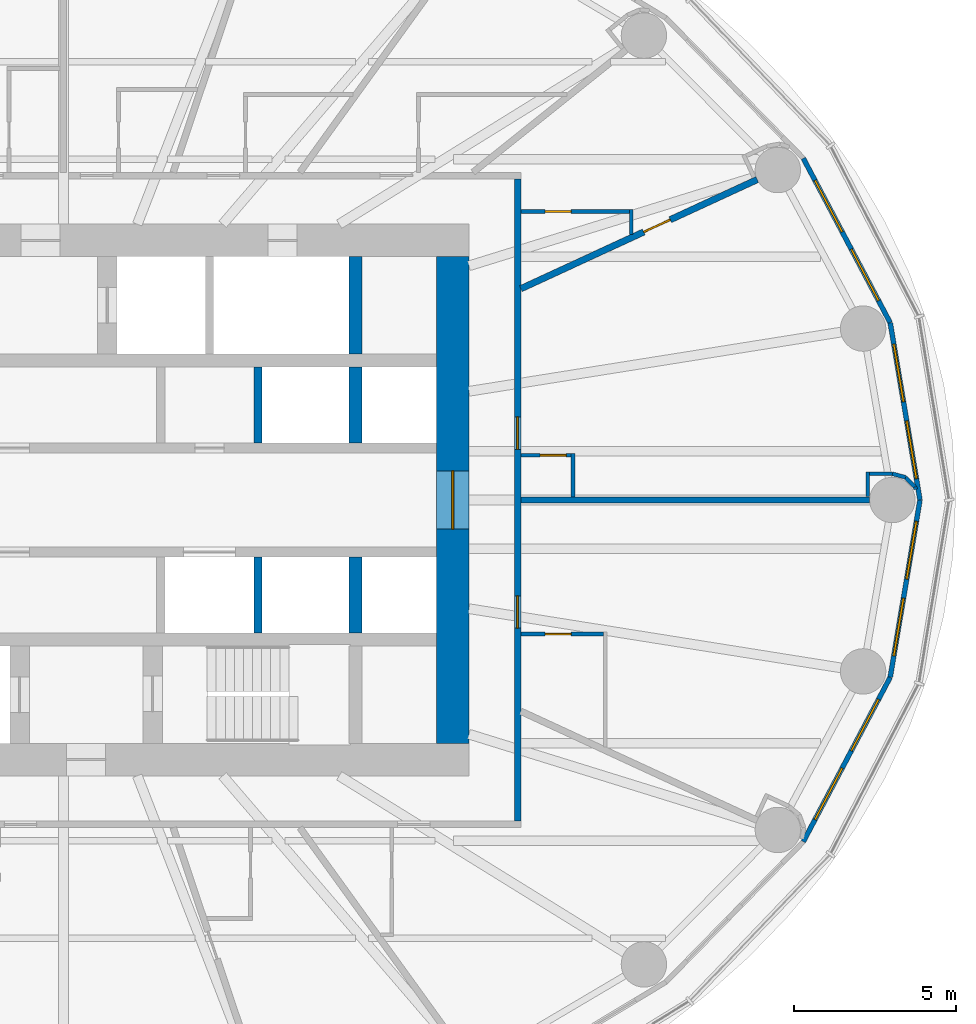
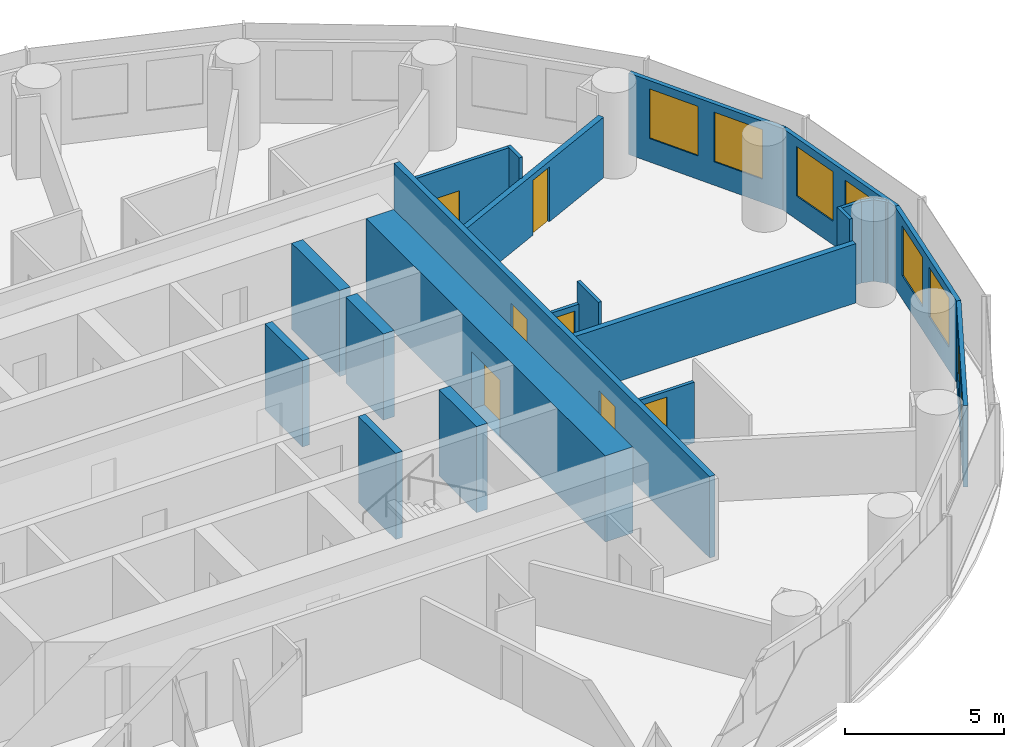
# One storey, part 10 of 13: 23 walls, 8 windows, 7 doors, 15 openings.
"""IFC4 building model written with IfcOpenShell, lengths in metres."""

from ifc_helpers import new_model, si_unit, direction, frame, frame_2d, origin, place, context, subcontext, project, spatial, rectangle, extrude, material, layer, layer_set, type_object, element, fill, save


model = new_model("IFC4")

# Units and contexts
model_context = context("Model", 3, precision=1e-05, world=origin(), true_north=direction((0.0, 1.0)))
body_context = subcontext(model_context, "Body", "Model", "MODEL_VIEW")
ifc_project = project(units=[si_unit("LENGTHUNIT", "METRE"), si_unit("AREAUNIT", "SQUARE_METRE"), si_unit("VOLUMEUNIT", "CUBIC_METRE"), si_unit("PLANEANGLEUNIT", "RADIAN"), si_unit("MASSUNIT", "GRAM", prefix="KILO")], contexts=[model_context])

# Site, building, storey
site_placement = place(None, origin())
site = spatial("IfcSite", under=ifc_project, at=site_placement, CompositionType="ELEMENT")
building_placement = place(site_placement, origin())
building = spatial("IfcBuilding", under=site, at=building_placement, Name="Hankou Lantern Tower", CompositionType="ELEMENT")
storey_placement = place(building_placement, frame((0.0, 0.0, 80.39990234375)))
storey = spatial("IfcBuildingStorey", under=building, at=storey_placement, Name="L20", CompositionType="ELEMENT", Elevation=80.39990234375)

# Wall, opening, door
ifc_material_1 = material(Name="Concrete C60", Category="concrete")
ifc_layer_1 = layer(ifc_material_1, 1.0)
ifc_layer_set_1 = layer_set([ifc_layer_1], Name="Concrete C60")
wall_type_1 = type_object("IfcWallType", Name="CW1 CORE WALL 1000", PredefinedType="SHEAR", material=ifc_layer_set_1)
wall_1_placement = place(storey_placement, frame((12.0, -7.5, 0.0), z_axis=(0.0, 0.0, 1.0), x_axis=(0.0, 1.0, 0.0)))
wall_1 = element("IfcWall", 1, at=wall_1_placement, inside=storey, type_object=wall_type_1, Name="Core wall east L20", PredefinedType="SHEAR", context=body_context, shape_type="SweptSolid", body=[
    extrude(rectangle(XDim=15.0, YDim=1.0, at=frame_2d((7.5, 0.0))), origin(), (0.0, 0.0, 1.0), 3.300048828125),
])
opening_1_placement = place(wall_1_placement, frame((6.60009765625, 0.0, 0.0)))
opening_1 = element("IfcOpeningElement", 2, at=opening_1_placement, cuts=wall_1, Name="Opening D6", PredefinedType="OPENING", context=body_context, shape_type="SweptSolid", body=[
    extrude(rectangle(XDim=1.800048828125, YDim=2.199951171875, at=frame_2d((0.89990234375, 1.10009765625))), frame((0.0, 0.510009765625, 0.0), z_axis=(0.0, -1.0, 0.0), x_axis=(1.0, 0.0, 0.0)), (0.0, 0.0, 1.0), 1.02001953125),
])
ifc_material_2 = material(Name="Steel door leaf", Category="steel")
door_type_1 = type_object("IfcDoorType", Name="D6 LIFT LOBBY DOOR 1800X2200", OperationType="DOUBLE_DOOR_DOUBLE_SWING", PredefinedType="DOOR", material=ifc_material_2)
door_1_placement = place(opening_1_placement, origin())
door_1 = element("IfcDoor", 3, at=door_1_placement, inside=storey, type_object=door_type_1, Name="Lift lobby east door", OperationType="DOUBLE_DOOR_DOUBLE_SWING", OverallHeight=2.199951171875, OverallWidth=1.800048828125, PredefinedType="DOOR", context=body_context, shape_type="SweptSolid", body=[
    extrude(rectangle(XDim=1.800048828125, YDim=2.199951171875, at=frame_2d((0.89990234375, 1.10009765625))), frame((0.0, 0.02490234375, 0.0), z_axis=(0.0, -1.0, 0.0), x_axis=(1.0, 0.0, 0.0)), (0.0, 0.0, 1.0), 0.050048828125),
])
fill(opening_1, door_1)

# Walls
ifc_material_3 = material(Name="Concrete C60", Category="concrete")
ifc_layer_2 = layer(ifc_material_3, 0.39990234375)
ifc_layer_set_2 = layer_set([ifc_layer_2], Name="Concrete C60")
wall_type_2 = type_object("IfcWallType", Name="CW4 CORE CROSS WALL 400", PredefinedType="SHEAR", material=ifc_layer_set_2)
wall_2_placement = place(storey_placement, frame((9.0, 4.5, 0.0), z_axis=(0.0, 0.0, 1.0), x_axis=(0.0, 1.0, 0.0)))
element("IfcWall", 4, at=wall_2_placement, inside=storey, type_object=wall_type_2, Name="Core strip wall L20", PredefinedType="SHEAR", context=body_context, shape_type="SweptSolid", body=[
    extrude(rectangle(XDim=3.0, YDim=0.39990234375, at=frame_2d((1.5, 0.0))), origin(), (0.0, 0.0, 1.0), 3.300048828125),
])
for number, where, z_axis, x_axis, name in (
    (5, (9.0, 1.75, 0.0), (0.0, 0.0, 1.0), (0.0, 1.0, 0.0), "Core strip wall L20"),
    (6, (9.0, -4.10009765625, 0.0), (0.0, 0.0, 1.0), (0.0, 1.0, 0.0), "Core strip wall L20"),
):
    element("IfcWall", number, at=place(storey_placement, frame(where, z_axis=z_axis, x_axis=x_axis)), inside=storey, type_object=wall_type_2, Name=name, PredefinedType="SHEAR", context=body_context, shape_type="SweptSolid", body=[
        extrude(rectangle(XDim=2.35009765625, YDim=0.39990234375, at=frame_2d((1.175048828125, 0.0))), origin(), (0.0, 0.0, 1.0), 3.300048828125),
    ])

# Wall, openings, windows
ifc_material_4 = material(Name="Aluminium spandrel panel on steel studs", Category="steel")
ifc_layer_3 = layer(ifc_material_4, 0.14990234375)
ifc_layer_set_3 = layer_set([ifc_layer_3], Name="Aluminium spandrel panel on steel studs")
wall_type_3 = type_object("IfcWallType", Name="EW1 INNER SKIN WALL 150", PredefinedType="ELEMENTEDWALL", material=ifc_layer_set_3)
wall_3_placement = place(storey_placement, frame((26.39990234375, 0.0, 0.0), z_axis=(0.0, 0.0, 1.0), x_axis=(-0.165642551694, 0.986185857264, 0.0)))
wall_3 = element("IfcWall", 7, at=wall_3_placement, inside=storey, type_object=wall_type_3, Name="Inner skin R01-R02 L20", PredefinedType="ELEMENTEDWALL", context=body_context, shape_type="SweptSolid", body=[
    extrude(rectangle(XDim=5.538818359375, YDim=0.14990234375, at=frame_2d((2.76953125, 0.0))), origin(), (0.0, 0.0, 1.0), 3.1201171875),
])
opening_2_placement = place(wall_3_placement, frame((0.66943359375, 0.0, 0.89990234375)))
opening_2 = element("IfcOpeningElement", 8, at=opening_2_placement, cuts=wall_3, Name="Opening W1", PredefinedType="OPENING", context=body_context, shape_type="SweptSolid", body=[
    extrude(rectangle(XDim=1.800048828125, YDim=1.89990234375, at=frame_2d((0.89990234375, 0.949951171875))), frame((0.0, 0.0849609375, 0.0), z_axis=(0.0, -1.0, 0.0), x_axis=(1.0, 0.0, 0.0)), (0.0, 0.0, 1.0), 0.169921875),
])
opening_3_placement = place(wall_3_placement, frame((3.069580078125, 0.0, 0.89990234375)))
opening_3 = element("IfcOpeningElement", 9, at=opening_3_placement, cuts=wall_3, Name="Opening W1", PredefinedType="OPENING", context=body_context, shape_type="SweptSolid", body=[
    extrude(rectangle(XDim=1.800048828125, YDim=1.89990234375, at=frame_2d((0.89990234375, 0.949951171875))), frame((0.0, 0.0849609375, 0.0), z_axis=(0.0, -1.0, 0.0), x_axis=(1.0, 0.0, 0.0)), (0.0, 0.0, 1.0), 0.169921875),
])
ifc_material_5 = material(Name="Aluminium framed double glazed window", Category="aluminium")
window_type = type_object("IfcWindowType", Name="W1 GUEST ROOM WINDOW 1800X1900", PartitioningType="DOUBLE_PANEL_VERTICAL", PredefinedType="WINDOW", material=ifc_material_5)
window_1_placement = place(opening_2_placement, origin())
window_1 = element("IfcWindow", 10, at=window_1_placement, inside=storey, type_object=window_type, Name="Window R01.1 L20", OverallHeight=1.89990234375, OverallWidth=1.800048828125, PartitioningType="SINGLE_PANEL", PredefinedType="WINDOW", context=body_context, shape_type="SweptSolid", body=[
    extrude(rectangle(XDim=1.800048828125, YDim=1.89990234375, at=frame_2d((0.89990234375, 0.949951171875))), frame((0.0, 0.030029296875, 0.0), z_axis=(0.0, -1.0, 0.0), x_axis=(1.0, 0.0, 0.0)), (0.0, 0.0, 1.0), 0.06005859375),
])
fill(opening_2, window_1)
window_2_placement = place(opening_3_placement, origin())
window_2 = element("IfcWindow", 11, at=window_2_placement, inside=storey, type_object=window_type, Name="Window R01.2 L20", OverallHeight=1.89990234375, OverallWidth=1.800048828125, PartitioningType="SINGLE_PANEL", PredefinedType="WINDOW", context=body_context, shape_type="SweptSolid", body=[
    extrude(rectangle(XDim=1.800048828125, YDim=1.89990234375, at=frame_2d((0.89990234375, 0.949951171875))), frame((0.0, 0.030029296875, 0.0), z_axis=(0.0, -1.0, 0.0), x_axis=(1.0, 0.0, 0.0)), (0.0, 0.0, 1.0), 0.06005859375),
])
fill(opening_3, window_2)

wall_4_placement = place(storey_placement, frame((25.482421875, 5.46240234375, 0.0), z_axis=(0.0, 0.0, 1.0), x_axis=(-0.467296867008, 0.884100468321, 0.0)))
wall_4 = element("IfcWall", 12, at=wall_4_placement, inside=storey, type_object=wall_type_3, Name="Inner skin R02-R03 L20", PredefinedType="ELEMENTEDWALL", context=body_context, shape_type="SweptSolid", body=[
    extrude(rectangle(XDim=5.734375, YDim=0.14990234375, at=frame_2d((2.8671875, 0.0))), origin(), (0.0, 0.0, 1.0), 3.1201171875),
])
opening_4_placement = place(wall_4_placement, frame((0.76708984375, 0.0, 0.89990234375)))
opening_4 = element("IfcOpeningElement", 13, at=opening_4_placement, cuts=wall_4, Name="Opening W1", PredefinedType="OPENING", context=body_context, shape_type="SweptSolid", body=[
    extrude(rectangle(XDim=1.800048828125, YDim=1.89990234375, at=frame_2d((0.89990234375, 0.949951171875))), frame((0.0, 0.0849609375, 0.0), z_axis=(0.0, -1.0, 0.0), x_axis=(1.0, 0.0, 0.0)), (0.0, 0.0, 1.0), 0.169921875),
])
opening_5_placement = place(wall_4_placement, frame((3.167236328125, 0.0, 0.89990234375)))
opening_5 = element("IfcOpeningElement", 14, at=opening_5_placement, cuts=wall_4, Name="Opening W1", PredefinedType="OPENING", context=body_context, shape_type="SweptSolid", body=[
    extrude(rectangle(XDim=1.800048828125, YDim=1.89990234375, at=frame_2d((0.89990234375, 0.949951171875))), frame((0.0, 0.0849609375, 0.0), z_axis=(0.0, -1.0, 0.0), x_axis=(1.0, 0.0, 0.0)), (0.0, 0.0, 1.0), 0.169921875),
])
window_3_placement = place(opening_4_placement, origin())
window_3 = element("IfcWindow", 15, at=window_3_placement, inside=storey, type_object=window_type, Name="Window R02.1 L20", OverallHeight=1.89990234375, OverallWidth=1.800048828125, PartitioningType="SINGLE_PANEL", PredefinedType="WINDOW", context=body_context, shape_type="SweptSolid", body=[
    extrude(rectangle(XDim=1.800048828125, YDim=1.89990234375, at=frame_2d((0.89990234375, 0.949951171875))), frame((0.0, 0.030029296875, 0.0), z_axis=(0.0, -1.0, 0.0), x_axis=(1.0, 0.0, 0.0)), (0.0, 0.0, 1.0), 0.06005859375),
])
fill(opening_4, window_3)
window_4_placement = place(opening_5_placement, origin())
window_4 = element("IfcWindow", 16, at=window_4_placement, inside=storey, type_object=window_type, Name="Window R02.2 L20", OverallHeight=1.89990234375, OverallWidth=1.800048828125, PartitioningType="SINGLE_PANEL", PredefinedType="WINDOW", context=body_context, shape_type="SweptSolid", body=[
    extrude(rectangle(XDim=1.800048828125, YDim=1.89990234375, at=frame_2d((0.89990234375, 0.949951171875))), frame((0.0, 0.030029296875, 0.0), z_axis=(0.0, -1.0, 0.0), x_axis=(1.0, 0.0, 0.0)), (0.0, 0.0, 1.0), 0.06005859375),
])
fill(opening_5, window_4)

wall_5_placement = place(storey_placement, frame((22.802734375, -10.5322265625, 0.0), z_axis=(0.0, 0.0, 1.0), x_axis=(0.467296867008, 0.884100468321, 0.0)))
wall_5 = element("IfcWall", 17, at=wall_5_placement, inside=storey, type_object=wall_type_3, Name="Inner skin R23-R24 L20", PredefinedType="ELEMENTEDWALL", context=body_context, shape_type="SweptSolid", body=[
    extrude(rectangle(XDim=5.734375, YDim=0.14990234375, at=frame_2d((2.8671875, 0.0))), origin(), (0.0, 0.0, 1.0), 3.1201171875),
])
opening_6_placement = place(wall_5_placement, frame((0.76708984375, 0.0, 0.89990234375)))
opening_6 = element("IfcOpeningElement", 18, at=opening_6_placement, cuts=wall_5, Name="Opening W1", PredefinedType="OPENING", context=body_context, shape_type="SweptSolid", body=[
    extrude(rectangle(XDim=1.800048828125, YDim=1.89990234375, at=frame_2d((0.89990234375, 0.949951171875))), frame((0.0, 0.0849609375, 0.0), z_axis=(0.0, -1.0, 0.0), x_axis=(1.0, 0.0, 0.0)), (0.0, 0.0, 1.0), 0.169921875),
])
opening_7_placement = place(wall_5_placement, frame((3.167236328125, 0.0, 0.89990234375)))
opening_7 = element("IfcOpeningElement", 19, at=opening_7_placement, cuts=wall_5, Name="Opening W1", PredefinedType="OPENING", context=body_context, shape_type="SweptSolid", body=[
    extrude(rectangle(XDim=1.800048828125, YDim=1.89990234375, at=frame_2d((0.89990234375, 0.949951171875))), frame((0.0, 0.0849609375, 0.0), z_axis=(0.0, -1.0, 0.0), x_axis=(1.0, 0.0, 0.0)), (0.0, 0.0, 1.0), 0.169921875),
])
window_5_placement = place(opening_6_placement, origin())
window_5 = element("IfcWindow", 20, at=window_5_placement, inside=storey, type_object=window_type, Name="Window R23.1 L20", OverallHeight=1.89990234375, OverallWidth=1.800048828125, PartitioningType="SINGLE_PANEL", PredefinedType="WINDOW", context=body_context, shape_type="SweptSolid", body=[
    extrude(rectangle(XDim=1.800048828125, YDim=1.89990234375, at=frame_2d((0.89990234375, 0.949951171875))), frame((0.0, 0.030029296875, 0.0), z_axis=(0.0, -1.0, 0.0), x_axis=(1.0, 0.0, 0.0)), (0.0, 0.0, 1.0), 0.06005859375),
])
fill(opening_6, window_5)
window_6_placement = place(opening_7_placement, origin())
window_6 = element("IfcWindow", 21, at=window_6_placement, inside=storey, type_object=window_type, Name="Window R23.2 L20", OverallHeight=1.89990234375, OverallWidth=1.800048828125, PartitioningType="SINGLE_PANEL", PredefinedType="WINDOW", context=body_context, shape_type="SweptSolid", body=[
    extrude(rectangle(XDim=1.800048828125, YDim=1.89990234375, at=frame_2d((0.89990234375, 0.949951171875))), frame((0.0, 0.030029296875, 0.0), z_axis=(0.0, -1.0, 0.0), x_axis=(1.0, 0.0, 0.0)), (0.0, 0.0, 1.0), 0.06005859375),
])
fill(opening_7, window_6)

wall_6_placement = place(storey_placement, frame((25.482421875, -5.46240234375, 0.0), z_axis=(0.0, 0.0, 1.0), x_axis=(0.165642551694, 0.986185857264, 0.0)))
wall_6 = element("IfcWall", 22, at=wall_6_placement, inside=storey, type_object=wall_type_3, Name="Inner skin R24-R01 L20", PredefinedType="ELEMENTEDWALL", context=body_context, shape_type="SweptSolid", body=[
    extrude(rectangle(XDim=5.538818359375, YDim=0.14990234375, at=frame_2d((2.76953125, 0.0))), origin(), (0.0, 0.0, 1.0), 3.1201171875),
])
opening_8_placement = place(wall_6_placement, frame((0.66943359375, 0.0, 0.89990234375)))
opening_8 = element("IfcOpeningElement", 23, at=opening_8_placement, cuts=wall_6, Name="Opening W1", PredefinedType="OPENING", context=body_context, shape_type="SweptSolid", body=[
    extrude(rectangle(XDim=1.800048828125, YDim=1.89990234375, at=frame_2d((0.89990234375, 0.949951171875))), frame((0.0, 0.0849609375, 0.0), z_axis=(0.0, -1.0, 0.0), x_axis=(1.0, 0.0, 0.0)), (0.0, 0.0, 1.0), 0.169921875),
])
opening_9_placement = place(wall_6_placement, frame((3.069580078125, 0.0, 0.89990234375)))
opening_9 = element("IfcOpeningElement", 24, at=opening_9_placement, cuts=wall_6, Name="Opening W1", PredefinedType="OPENING", context=body_context, shape_type="SweptSolid", body=[
    extrude(rectangle(XDim=1.800048828125, YDim=1.89990234375, at=frame_2d((0.89990234375, 0.949951171875))), frame((0.0, 0.0849609375, 0.0), z_axis=(0.0, -1.0, 0.0), x_axis=(1.0, 0.0, 0.0)), (0.0, 0.0, 1.0), 0.169921875),
])
window_7_placement = place(opening_8_placement, origin())
window_7 = element("IfcWindow", 25, at=window_7_placement, inside=storey, type_object=window_type, Name="Window R24.1 L20", OverallHeight=1.89990234375, OverallWidth=1.800048828125, PartitioningType="SINGLE_PANEL", PredefinedType="WINDOW", context=body_context, shape_type="SweptSolid", body=[
    extrude(rectangle(XDim=1.800048828125, YDim=1.89990234375, at=frame_2d((0.89990234375, 0.949951171875))), frame((0.0, 0.030029296875, 0.0), z_axis=(0.0, -1.0, 0.0), x_axis=(1.0, 0.0, 0.0)), (0.0, 0.0, 1.0), 0.06005859375),
])
fill(opening_8, window_7)
window_8_placement = place(opening_9_placement, origin())
window_8 = element("IfcWindow", 26, at=window_8_placement, inside=storey, type_object=window_type, Name="Window R24.2 L20", OverallHeight=1.89990234375, OverallWidth=1.800048828125, PartitioningType="SINGLE_PANEL", PredefinedType="WINDOW", context=body_context, shape_type="SweptSolid", body=[
    extrude(rectangle(XDim=1.800048828125, YDim=1.89990234375, at=frame_2d((0.89990234375, 0.949951171875))), frame((0.0, 0.030029296875, 0.0), z_axis=(0.0, -1.0, 0.0), x_axis=(1.0, 0.0, 0.0)), (0.0, 0.0, 1.0), 0.06005859375),
])
fill(opening_9, window_8)

# Wall
ifc_material_6 = material(Name="Masonry lightweight concrete block", Category="masonry")
ifc_layer_4 = layer(ifc_material_6, 0.199951171875)
ifc_layer_set_4 = layer_set([ifc_layer_4], Name="Masonry lightweight concrete block")
wall_type_4 = type_object("IfcWallType", Name="IW1 GUEST ROOM PARTY WALL 200", PredefinedType="PARTITIONING", material=ifc_layer_set_4)
wall_7_placement = place(storey_placement, frame((14.10009765625, 0.0, 0.0), z_axis=(0.0, 0.0, 1.0), x_axis=(1.0, 0.0, 0.0)))
element("IfcWall", 27, at=wall_7_placement, inside=storey, type_object=wall_type_4, Name="Party wall R01", PredefinedType="PARTITIONING", context=body_context, shape_type="SweptSolid", body=[
    extrude(rectangle(XDim=10.75, YDim=0.199951171875, at=frame_2d((5.375, 0.0))), origin(), (0.0, 0.0, 1.0), 2.27001953125),
])

# Wall, openings, doors
ifc_material_7 = material(Name="Masonry lightweight concrete block", Category="masonry")
ifc_layer_5 = layer(ifc_material_7, 0.199951171875)
ifc_layer_set_5 = layer_set([ifc_layer_5], Name="Masonry lightweight concrete block")
wall_type_5 = type_object("IfcWallType", Name="IW2 CORRIDOR WALL 200", PredefinedType="PARTITIONING", material=ifc_layer_set_5)
wall_8_placement = place(storey_placement, frame((14.0, -9.89990234375, 0.0), z_axis=(0.0, 0.0, 1.0), x_axis=(0.0, 1.0, 0.0)))
wall_8 = element("IfcWall", 28, at=wall_8_placement, inside=storey, type_object=wall_type_5, Name="Corridor wall east", PredefinedType="PARTITIONING", context=body_context, shape_type="SweptSolid", body=[
    extrude(rectangle(XDim=19.7998046875, YDim=0.199951171875, at=frame_2d((9.89990234375, 0.0))), origin(), (0.0, 0.0, 1.0), 3.1201171875),
])
opening_10_placement = place(wall_8_placement, frame((5.947509765625, 0.0, 0.0)))
opening_10 = element("IfcOpeningElement", 29, at=opening_10_placement, cuts=wall_8, Name="Opening D2", PredefinedType="OPENING", context=body_context, shape_type="SweptSolid", body=[
    extrude(rectangle(XDim=1.0, YDim=2.199951171875, at=frame_2d((0.5, 1.10009765625))), frame((0.0, 0.10986328125, 0.0), z_axis=(0.0, -1.0, 0.0), x_axis=(1.0, 0.0, 0.0)), (0.0, 0.0, 1.0), 0.219970703125),
])
opening_11_placement = place(wall_8_placement, frame((11.4599609375, 0.0, 0.0)))
opening_11 = element("IfcOpeningElement", 30, at=opening_11_placement, cuts=wall_8, Name="Opening D2", PredefinedType="OPENING", context=body_context, shape_type="SweptSolid", body=[
    extrude(rectangle(XDim=1.0, YDim=2.199951171875, at=frame_2d((0.5, 1.10009765625))), frame((0.0, 0.10986328125, 0.0), z_axis=(0.0, -1.0, 0.0), x_axis=(1.0, 0.0, 0.0)), (0.0, 0.0, 1.0), 0.219970703125),
])
ifc_material_8 = material(Name="Steel door leaf", Category="steel")
door_type_2 = type_object("IfcDoorType", Name="D2 SUITE DOOR 1000X2200", OperationType="SINGLE_SWING_LEFT", PredefinedType="DOOR", material=ifc_material_8)
door_2_placement = place(opening_10_placement, origin())
door_2 = element("IfcDoor", 31, at=door_2_placement, inside=storey, type_object=door_type_2, Name="Suite door 2009", OperationType="SINGLE_SWING_LEFT", OverallHeight=2.199951171875, OverallWidth=1.0, PredefinedType="DOOR", context=body_context, shape_type="SweptSolid", body=[
    extrude(rectangle(XDim=1.0, YDim=2.199951171875, at=frame_2d((0.5, 1.10009765625))), frame((0.0, 0.02490234375, 0.0), z_axis=(0.0, -1.0, 0.0), x_axis=(1.0, 0.0, 0.0)), (0.0, 0.0, 1.0), 0.050048828125),
])
fill(opening_10, door_2)
door_3_placement = place(opening_11_placement, origin())
door_3 = element("IfcDoor", 32, at=door_3_placement, inside=storey, type_object=door_type_2, Name="Suite door 2010C", OperationType="SINGLE_SWING_RIGHT", OverallHeight=2.199951171875, OverallWidth=1.0, PredefinedType="DOOR", context=body_context, shape_type="SweptSolid", body=[
    extrude(rectangle(XDim=1.0, YDim=2.199951171875, at=frame_2d((0.5, 1.10009765625))), frame((0.0, 0.02490234375, 0.0), z_axis=(0.0, -1.0, 0.0), x_axis=(1.0, 0.0, 0.0)), (0.0, 0.0, 1.0), 0.050048828125),
])
fill(opening_11, door_3)

# Wall, opening, door
ifc_material_9 = material(Name="Masonry lightweight concrete block", Category="masonry")
ifc_layer_6 = layer(ifc_material_9, 0.1201171875)
ifc_layer_set_6 = layer_set([ifc_layer_6], Name="Masonry lightweight concrete block")
wall_type_6 = type_object("IfcWallType", Name="IW3 BATHROOM WALL 120", PredefinedType="PARTITIONING", material=ifc_layer_set_6)
wall_9_placement = place(storey_placement, frame((14.10009765625, -4.132568359375, 0.0), z_axis=(0.0, 0.0, 1.0), x_axis=(1.0, 0.0, 0.0)))
wall_9 = element("IfcWall", 33, at=wall_9_placement, inside=storey, type_object=wall_type_6, Name="Box wall 2009 1", PredefinedType="PARTITIONING", context=body_context, shape_type="SweptSolid", body=[
    extrude(rectangle(XDim=2.539794921875, YDim=0.1201171875, at=frame_2d((1.27001953125, 0.0))), origin(), (0.0, 0.0, 1.0), 2.320068359375),
])
opening_12_placement = place(wall_9_placement, frame((0.75, 0.0, 0.0)))
opening_12 = element("IfcOpeningElement", 34, at=opening_12_placement, cuts=wall_9, Name="Opening D3", PredefinedType="OPENING", context=body_context, shape_type="SweptSolid", body=[
    extrude(rectangle(XDim=0.800048828125, YDim=2.10009765625, at=frame_2d((0.39990234375, 1.050048828125))), frame((0.0, 0.070068359375, 0.0), z_axis=(0.0, -1.0, 0.0), x_axis=(1.0, 0.0, 0.0)), (0.0, 0.0, 1.0), 0.14013671875),
])
ifc_material_10 = material(Name="Timber door leaf", Category="wood")
door_type_3 = type_object("IfcDoorType", Name="D3 BATHROOM DOOR 800X2100", OperationType="SINGLE_SWING_LEFT", PredefinedType="DOOR", material=ifc_material_10)
door_4_placement = place(opening_12_placement, origin())
door_4 = element("IfcDoor", 35, at=door_4_placement, inside=storey, type_object=door_type_3, Name="Junior suite 2009 bathroom door", OperationType="SINGLE_SWING_LEFT", OverallHeight=2.10009765625, OverallWidth=0.800048828125, PredefinedType="DOOR", context=body_context, shape_type="SweptSolid", body=[
    extrude(rectangle(XDim=0.800048828125, YDim=2.10009765625, at=frame_2d((0.39990234375, 1.050048828125))), frame((0.0, 0.02490234375, 0.0), z_axis=(0.0, -1.0, 0.0), x_axis=(1.0, 0.0, 0.0)), (0.0, 0.0, 1.0), 0.050048828125),
])
fill(opening_12, door_4)

# Wall
wall_10_placement = place(storey_placement, frame((15.699951171875, 0.10009765625, 0.0), z_axis=(0.0, 0.0, 1.0), x_axis=(0.0, 1.0, 0.0)))
element("IfcWall", 36, at=wall_10_placement, inside=storey, type_object=wall_type_6, Name="Box wall 2010C 1", PredefinedType="PARTITIONING", context=body_context, shape_type="SweptSolid", body=[
    extrude(rectangle(XDim=1.33984375, YDim=0.1201171875, at=frame_2d((0.669921875, 0.0))), origin(), (0.0, 0.0, 1.0), 3.1201171875),
])

# Wall, opening, door
wall_11_placement = place(storey_placement, frame((14.10009765625, 1.3798828125, 0.0), z_axis=(0.0, 0.0, 1.0), x_axis=(1.0, 0.0, 0.0)))
wall_11 = element("IfcWall", 37, at=wall_11_placement, inside=storey, type_object=wall_type_6, Name="Box wall 2010C 1", PredefinedType="PARTITIONING", context=body_context, shape_type="SweptSolid", body=[
    extrude(rectangle(XDim=1.539794921875, YDim=0.1201171875, at=frame_2d((0.77001953125, 0.0))), origin(), (0.0, 0.0, 1.0), 2.320068359375),
])
opening_13_placement = place(wall_11_placement, frame((0.590087890625, 0.0, 0.0)))
opening_13 = element("IfcOpeningElement", 38, at=opening_13_placement, cuts=wall_11, Name="Opening D3", PredefinedType="OPENING", context=body_context, shape_type="SweptSolid", body=[
    extrude(rectangle(XDim=0.800048828125, YDim=2.10009765625, at=frame_2d((0.39990234375, 1.050048828125))), frame((0.0, 0.070068359375, 0.0), z_axis=(0.0, -1.0, 0.0), x_axis=(1.0, 0.0, 0.0)), (0.0, 0.0, 1.0), 0.14013671875),
])
door_5_placement = place(opening_13_placement, origin())
door_5 = element("IfcDoor", 39, at=door_5_placement, inside=storey, type_object=door_type_3, Name="Corner suite 2010 guest WC door", OperationType="SINGLE_SWING_LEFT", OverallHeight=2.10009765625, OverallWidth=0.800048828125, PredefinedType="DOOR", context=body_context, shape_type="SweptSolid", body=[
    extrude(rectangle(XDim=0.800048828125, YDim=2.10009765625, at=frame_2d((0.39990234375, 1.050048828125))), frame((0.0, 0.02490234375, 0.0), z_axis=(0.0, -1.0, 0.0), x_axis=(1.0, 0.0, 0.0)), (0.0, 0.0, 1.0), 0.050048828125),
])
fill(opening_13, door_5)

# Wall
wall_12_placement = place(storey_placement, frame((17.5, 8.182861328125, 0.0), z_axis=(0.0, 0.0, 1.0), x_axis=(0.0, 1.0, 0.0)))
element("IfcWall", 40, at=wall_12_placement, inside=storey, type_object=wall_type_6, Name="Box wall 2010A 1", PredefinedType="PARTITIONING", context=body_context, shape_type="SweptSolid", body=[
    extrude(rectangle(XDim=0.76953125, YDim=0.1201171875, at=frame_2d((0.384765625, 0.0))), origin(), (0.0, 0.0, 1.0), 3.1201171875),
])

# Wall, opening, door
wall_13_placement = place(storey_placement, frame((14.10009765625, 8.892578125, 0.0), z_axis=(0.0, 0.0, 1.0), x_axis=(1.0, 0.0, 0.0)))
wall_13 = element("IfcWall", 41, at=wall_13_placement, inside=storey, type_object=wall_type_6, Name="Box wall 2010A 1", PredefinedType="PARTITIONING", context=body_context, shape_type="SweptSolid", body=[
    extrude(rectangle(XDim=3.33984375, YDim=0.1201171875, at=frame_2d((1.669921875, 0.0))), origin(), (0.0, 0.0, 1.0), 3.1201171875),
])
opening_14_placement = place(wall_13_placement, frame((0.75, 0.0, 0.0)))
opening_14 = element("IfcOpeningElement", 42, at=opening_14_placement, cuts=wall_13, Name="Opening D3", PredefinedType="OPENING", context=body_context, shape_type="SweptSolid", body=[
    extrude(rectangle(XDim=0.800048828125, YDim=2.10009765625, at=frame_2d((0.39990234375, 1.050048828125))), frame((0.0, 0.070068359375, 0.0), z_axis=(0.0, -1.0, 0.0), x_axis=(1.0, 0.0, 0.0)), (0.0, 0.0, 1.0), 0.14013671875),
])
door_6_placement = place(opening_14_placement, origin())
door_6 = element("IfcDoor", 43, at=door_6_placement, inside=storey, type_object=door_type_3, Name="Corner suite 2010 bathroom door", OperationType="SINGLE_SWING_LEFT", OverallHeight=2.10009765625, OverallWidth=0.800048828125, PredefinedType="DOOR", context=body_context, shape_type="SweptSolid", body=[
    extrude(rectangle(XDim=0.800048828125, YDim=2.10009765625, at=frame_2d((0.39990234375, 1.050048828125))), frame((0.0, 0.02490234375, 0.0), z_axis=(0.0, -1.0, 0.0), x_axis=(1.0, 0.0, 0.0)), (0.0, 0.0, 1.0), 0.050048828125),
])
fill(opening_14, door_6)

# Walls
ifc_material_11 = material(Name="Masonry lightweight concrete block", Category="masonry")
ifc_layer_7 = layer(ifc_material_11, 0.1201171875)
ifc_layer_set_7 = layer_set([ifc_layer_7], Name="Masonry lightweight concrete block")
wall_type_7 = type_object("IfcWallType", Name="IW4 PARTITION 120", PredefinedType="PARTITIONING", material=ifc_layer_set_7)
wall_14_placement = place(storey_placement, frame((24.7900390625, 0.10009765625, 0.0), z_axis=(0.0, 0.0, 1.0), x_axis=(0.0, 1.0, 0.0)))
element("IfcWall", 44, at=wall_14_placement, inside=storey, type_object=wall_type_7, Name="Column casing R01 return", PredefinedType="PARTITIONING", context=body_context, shape_type="SweptSolid", body=[
    extrude(rectangle(XDim=0.767333984375, YDim=0.1201171875, at=frame_2d((0.3837890625, 0.0))), origin(), (0.0, 0.0, 1.0), 3.1201171875),
])
wall_15_placement = place(storey_placement, frame((24.85009765625, 0.8076171875, 0.0), z_axis=(0.0, 0.0, 1.0), x_axis=(1.0, 0.0, 0.0)))
element("IfcWall", 45, at=wall_15_placement, inside=storey, type_object=wall_type_7, Name="Column casing R01", PredefinedType="PARTITIONING", context=body_context, shape_type="SweptSolid", body=[
    extrude(rectangle(XDim=0.699951171875, YDim=0.1201171875, at=frame_2d((0.35009765625, 0.0))), origin(), (0.0, 0.0, 1.0), 3.1201171875),
])
wall_16_placement = place(storey_placement, frame((25.550048828125, 0.8076171875, 0.0), z_axis=(0.0, 0.0, 1.0), x_axis=(0.965807183573, -0.2592614205, 0.0)))
element("IfcWall", 46, at=wall_16_placement, inside=storey, type_object=wall_type_7, Name="Column casing R01", PredefinedType="PARTITIONING", context=body_context, shape_type="SweptSolid", body=[
    extrude(rectangle(XDim=0.418212890625, YDim=0.1201171875, at=frame_2d((0.208984375, 0.0))), origin(), (0.0, 0.0, 1.0), 3.1201171875),
])
wall_17_placement = place(storey_placement, frame((25.953857421875, 0.69921875, 0.0), z_axis=(0.0, 0.0, 1.0), x_axis=(0.707106781187, -0.707106781187, 0.0)))
element("IfcWall", 47, at=wall_17_placement, inside=storey, type_object=wall_type_7, Name="Column casing R01", PredefinedType="PARTITIONING", context=body_context, shape_type="SweptSolid", body=[
    extrude(rectangle(XDim=0.417724609375, YDim=0.1201171875, at=frame_2d((0.208984375, 0.0))), origin(), (0.0, 0.0, 1.0), 3.1201171875),
])
wall_18_placement = place(storey_placement, frame((26.249267578125, 0.40380859375, 0.0), z_axis=(0.0, 0.0, 1.0), x_axis=(0.259754282609, -0.965674744759, 0.0)))
element("IfcWall", 48, at=wall_18_placement, inside=storey, type_object=wall_type_7, Name="Column casing R01", PredefinedType="PARTITIONING", context=body_context, shape_type="SweptSolid", body=[
    extrude(rectangle(XDim=0.079833984375, YDim=0.1201171875, at=frame_2d((0.0400390625, 0.0))), origin(), (0.0, 0.0, 1.0), 3.1201171875),
])

# Wall, opening, door
ifc_material_12 = material(Name="Masonry lightweight concrete block", Category="masonry")
ifc_layer_8 = layer(ifc_material_12, 0.199951171875)
ifc_layer_set_8 = layer_set([ifc_layer_8], Name="Masonry lightweight concrete block")
wall_type_8 = type_object("IfcWallType", Name="IW6 SUITE PARTITION 200", PredefinedType="PARTITIONING", material=ifc_layer_set_8)
wall_19_placement = place(storey_placement, frame((14.10009765625, 6.512451171875, 0.0), z_axis=(0.0, 0.0, 1.0), x_axis=(0.907832871056, 0.419332181247, 0.0)))
wall_19 = element("IfcWall", 49, at=wall_19_placement, inside=storey, type_object=wall_type_8, Name="Suite partition R03", PredefinedType="PARTITIONING", context=body_context, shape_type="SweptSolid", body=[
    extrude(rectangle(XDim=8.02294921875, YDim=0.199951171875, at=frame_2d((4.011474609375, 0.0))), origin(), (0.0, 0.0, 1.0), 2.320068359375),
])
opening_15_placement = place(wall_19_placement, frame((4.169921875, 0.0, 0.0)))
opening_15 = element("IfcOpeningElement", 50, at=opening_15_placement, cuts=wall_19, Name="Opening D27", PredefinedType="OPENING", context=body_context, shape_type="SweptSolid", body=[
    extrude(rectangle(XDim=0.89990234375, YDim=2.10009765625, at=frame_2d((0.449951171875, 1.050048828125))), frame((0.0, 0.10986328125, 0.0), z_axis=(0.0, -1.0, 0.0), x_axis=(1.0, 0.0, 0.0)), (0.0, 0.0, 1.0), 0.219970703125),
])
ifc_material_13 = material(Name="Timber door leaf", Category="wood")
door_type_4 = type_object("IfcDoorType", Name="D27 INTERNAL DOOR 900X2100", OperationType="SINGLE_SWING_LEFT", PredefinedType="DOOR", material=ifc_material_13)
door_7_placement = place(opening_15_placement, origin())
door_7 = element("IfcDoor", 51, at=door_7_placement, inside=storey, type_object=door_type_4, Name="Corner suite 2010 bedroom door", OperationType="SINGLE_SWING_LEFT", OverallHeight=2.10009765625, OverallWidth=0.89990234375, PredefinedType="DOOR", context=body_context, shape_type="SweptSolid", body=[
    extrude(rectangle(XDim=0.89990234375, YDim=2.10009765625, at=frame_2d((0.449951171875, 1.050048828125))), frame((0.0, 0.02490234375, 0.0), z_axis=(0.0, -1.0, 0.0), x_axis=(1.0, 0.0, 0.0)), (0.0, 0.0, 1.0), 0.050048828125),
])
fill(opening_15, door_7)

# Walls
ifc_material_14 = material(Name="Masonry autoclaved aerated concrete block", Category="masonry")
ifc_layer_9 = layer(ifc_material_14, 0.25)
ifc_layer_set_9 = layer_set([ifc_layer_9], Name="Masonry autoclaved aerated concrete block")
wall_type_9 = type_object("IfcWallType", Name="SW1 SHAFT BLOCK WALL 250", PredefinedType="PARTITIONING", material=ifc_layer_set_9)
for number, where, z_axis, x_axis, name in (
    (52, (6.0, 1.75, 0.0), (0.0, 0.0, 1.0), (0.0, 1.0, 0.0), "Lift shaft wall L20"),
    (53, (6.0, -4.10009765625, 0.0), (0.0, 0.0, 1.0), (0.0, 1.0, 0.0), "Lift shaft wall L20"),
):
    element("IfcWall", number, at=place(storey_placement, frame(where, z_axis=z_axis, x_axis=x_axis)), inside=storey, type_object=wall_type_9, Name=name, PredefinedType="PARTITIONING", context=body_context, shape_type="SweptSolid", body=[
        extrude(rectangle(XDim=2.35009765625, YDim=0.25, at=frame_2d((1.175048828125, 0.0))), origin(), (0.0, 0.0, 1.0), 3.300048828125),
    ])

save(model, "model.ifc")
